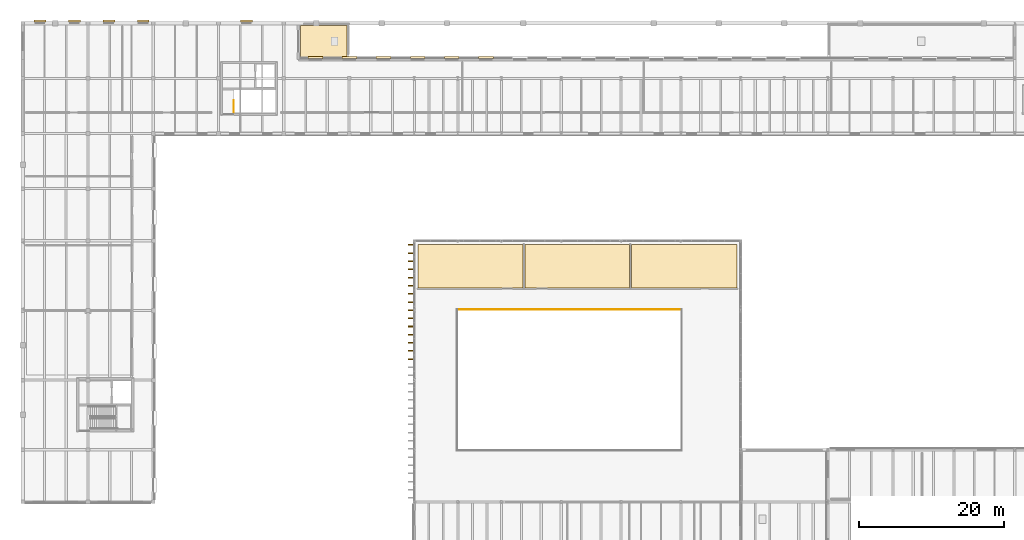
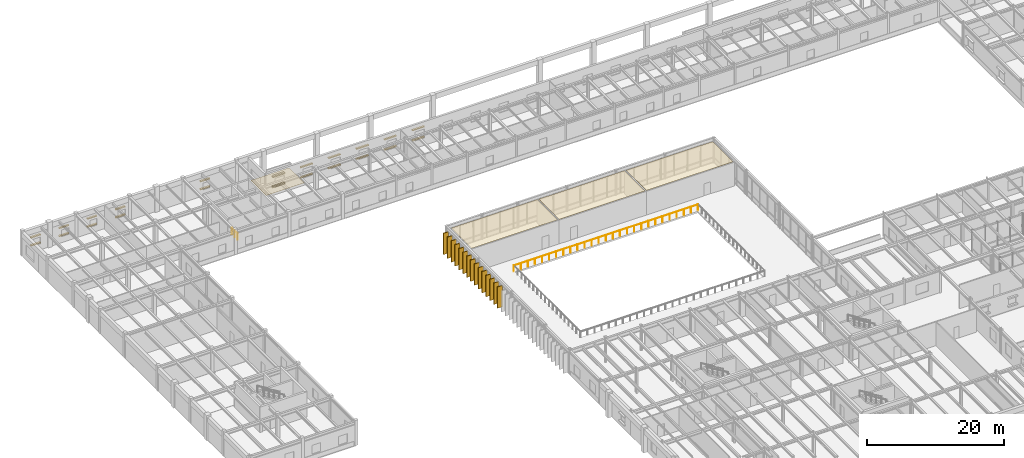
# One storey, part 61 of 64: 41 coverings, 2 railings.
"""IFC4 building model written with IfcOpenShell, lengths in metres."""

from ifc_helpers import new_model, si_unit, direction, frame, origin, origin_2d, place, context, subcontext, project, spatial, polyline, rectangle, circle, outline, extrude, material, layer, layer_set, type_object, element, save


model = new_model("IFC4")

# Units and contexts
model_context = context("Model", 3, precision=1e-05, world=origin(), true_north=direction((0.0, 1.0)))
body_context = subcontext(model_context, "Body", "Model", "MODEL_VIEW")
ifc_project = project(units=[si_unit("LENGTHUNIT", "METRE"), si_unit("AREAUNIT", "SQUARE_METRE"), si_unit("VOLUMEUNIT", "CUBIC_METRE"), si_unit("PLANEANGLEUNIT", "RADIAN"), si_unit("MASSUNIT", "GRAM", prefix="KILO")], contexts=[model_context])

# Site, building, storey
site_placement = place(None, origin())
site = spatial("IfcSite", under=ifc_project, at=site_placement, CompositionType="ELEMENT")
building_placement = place(site_placement, origin())
building = spatial("IfcBuilding", under=site, at=building_placement, Name="Montealbar Specialist Clinic", CompositionType="ELEMENT")
storey_placement = place(building_placement, frame((0.0, 0.0, 5.10009765625)))
storey = spatial("IfcBuildingStorey", under=building, at=storey_placement, Name="L01", CompositionType="ELEMENT", Elevation=5.10009765625)

# Coverings
ifc_material_1 = material(Name="Hygienic acoustic ceiling tile", Category="gypsum")
ifc_layer_1 = layer(ifc_material_1, 0.02490234375, Name="Hygienic acoustic ceiling tile", Category="gypsum")
ifc_layer_set_1 = layer_set([ifc_layer_1], Name="Hygienic acoustic ceiling tile")
covering_type_1 = type_object("IfcCoveringType", Name="COV-CEIL-ACOUSTIC", PredefinedType="CEILING", material=ifc_layer_set_1)
covering_1_placement = place(storey_placement, frame((0.0, 0.0, 4.184814453125)))
element("IfcCovering", 1, at=covering_1_placement, inside=storey, type_object=covering_type_1, Name="Hygienic Acoustic Ceiling Pulmonary Exercise Diagnostics Clinic", PredefinedType="CEILING", context=body_context, shape_type="SweptSolid", body=[
    extrude(outline(polyline([(54.530029296875, 80.469970703125), (68.969970703125, 80.469970703125), (68.969970703125, 74.530029296875), (54.530029296875, 74.530029296875), (54.530029296875, 80.469970703125)])), origin(), (0.0, 0.0, 1.0), 0.025146484375),
])
covering_2_placement = place(storey_placement, frame((0.0, 0.0, 4.184814453125)))
element("IfcCovering", 2, at=covering_2_placement, inside=storey, type_object=covering_type_1, Name="Hygienic Acoustic Ceiling Cardiac Rehabilitation Monitoring Studio", PredefinedType="CEILING", context=body_context, shape_type="SweptSolid", body=[
    extrude(outline(polyline([(69.22998046875, 80.469970703125), (83.669921875, 80.469970703125), (83.669921875, 74.530029296875), (69.22998046875, 74.530029296875), (69.22998046875, 80.469970703125)])), origin(), (0.0, 0.0, 1.0), 0.025146484375),
])
covering_3_placement = place(storey_placement, frame((0.0, 0.0, 4.184814453125)))
element("IfcCovering", 3, at=covering_3_placement, inside=storey, type_object=covering_type_1, Name="Hygienic Acoustic Ceiling Autonomic Nervous System Testing Room", PredefinedType="CEILING", context=body_context, shape_type="SweptSolid", body=[
    extrude(outline(polyline([(83.929931640625, 80.469970703125), (98.469970703125, 80.469970703125), (98.469970703125, 74.530029296875), (83.929931640625, 74.530029296875), (83.929931640625, 80.469970703125)])), origin(), (0.0, 0.0, 1.0), 0.025146484375),
])
ifc_material_2 = material(Name="Thermally modified timber cladding", Category="wood")
ifc_layer_2 = layer(ifc_material_2, 0.139892578125, Name="Thermally modified timber cladding", Category="wood")
ifc_layer_set_2 = layer_set([ifc_layer_2], Name="Thermally modified timber cladding")
covering_type_2 = type_object("IfcCoveringType", Name="COV-FIN-TIMBER-850", PredefinedType="CLADDING", material=ifc_layer_set_2)
for number, where, z_axis, x_axis, name in (
    (4, (53.60009765625, 64.68798828125, 0.0), (0.0, 0.0, 1.0), (-1.0, 0.0, 0.0), "Vertical Timber Solar Fin CF-L01-0050"),
    (5, (53.60009765625, 65.81201171875, 0.0), (0.0, 0.0, 1.0), (-1.0, 0.0, 0.0), "Vertical Timber Solar Fin CF-L01-0051"),
    (6, (53.60009765625, 66.93798828125, 0.0), (0.0, 0.0, 1.0), (-1.0, 0.0, 0.0), "Vertical Timber Solar Fin CF-L01-0052"),
    (7, (53.60009765625, 68.06201171875, 0.0), (0.0, 0.0, 1.0), (-1.0, 0.0, 0.0), "Vertical Timber Solar Fin CF-L01-0053"),
    (8, (53.60009765625, 69.18798828125, 0.0), (0.0, 0.0, 1.0), (-1.0, 0.0, 0.0), "Vertical Timber Solar Fin CF-L01-0054"),
    (9, (53.60009765625, 70.31201171875, 0.0), (0.0, 0.0, 1.0), (-1.0, 0.0, 0.0), "Vertical Timber Solar Fin CF-L01-0055"),
    (10, (53.60009765625, 71.43798828125, 0.0), (0.0, 0.0, 1.0), (-1.0, 0.0, 0.0), "Vertical Timber Solar Fin CF-L01-0056"),
    (11, (53.60009765625, 72.56201171875, 0.0), (0.0, 0.0, 1.0), (-1.0, 0.0, 0.0), "Vertical Timber Solar Fin CF-L01-0057"),
    (12, (53.60009765625, 73.68798828125, 0.0), (0.0, 0.0, 1.0), (-1.0, 0.0, 0.0), "Vertical Timber Solar Fin CF-L01-0058"),
    (13, (53.60009765625, 74.81201171875, 0.0), (0.0, 0.0, 1.0), (-1.0, 0.0, 0.0), "Vertical Timber Solar Fin CF-L01-0059"),
    (14, (53.60009765625, 75.93798828125, 0.0), (0.0, 0.0, 1.0), (-1.0, 0.0, 0.0), "Vertical Timber Solar Fin CF-L01-0060"),
    (15, (53.60009765625, 77.06201171875, 0.0), (0.0, 0.0, 1.0), (-1.0, 0.0, 0.0), "Vertical Timber Solar Fin CF-L01-0061"),
    (16, (53.60009765625, 78.18798828125, 0.0), (0.0, 0.0, 1.0), (-1.0, 0.0, 0.0), "Vertical Timber Solar Fin CF-L01-0062"),
    (17, (53.60009765625, 79.31201171875, 0.0), (0.0, 0.0, 1.0), (-1.0, 0.0, 0.0), "Vertical Timber Solar Fin CF-L01-0063"),
    (18, (53.60009765625, 80.43798828125, 0.0), (0.0, 0.0, 1.0), (-1.0, 0.0, 0.0), "Vertical Timber Solar Fin CF-L01-0064"),
):
    element("IfcCovering", number, at=place(storey_placement, frame(where, z_axis=z_axis, x_axis=x_axis)), inside=storey, type_object=covering_type_2, Name=name, PredefinedType="CLADDING", context=body_context, shape_type="SweptSolid", body=[
        extrude(rectangle(XDim=0.85009765625, YDim=0.139892578125, at=origin_2d()), origin(), (0.0, 0.0, 1.0), 3.800048828125),
    ])
ifc_material_3 = material(Name="Guadarrama granite ashlar", Category="masonry")
ifc_layer_3 = layer(ifc_material_3, 0.280029296875, Name="Guadarrama granite ashlar", Category="masonry")
ifc_layer_set_3 = layer_set([ifc_layer_3], Name="Guadarrama granite ashlar")
covering_type_3 = type_object("IfcCoveringType", Name="COV-HOOD-OCULUS", PredefinedType="CLADDING", material=ifc_layer_set_3)
for number, where, z_axis, x_axis, name in (
    (19, (2.375, 111.31005859375, 2.27490234375), (0.0, 0.0, 1.0), (1.0, 0.0, 0.0), "Postmodern Oculus Stone Frame L01-001-TOP"),
    (20, (2.375, 111.31005859375, 0.85498046875), (0.0, 0.0, 1.0), (1.0, 0.0, 0.0), "Postmodern Oculus Stone Frame L01-001-BOT"),
    (21, (7.125, 111.31005859375, 2.27490234375), (0.0, 0.0, 1.0), (1.0, 0.0, 0.0), "Postmodern Oculus Stone Frame L01-002-TOP"),
    (22, (7.125, 111.31005859375, 0.85498046875), (0.0, 0.0, 1.0), (1.0, 0.0, 0.0), "Postmodern Oculus Stone Frame L01-002-BOT"),
    (23, (11.875, 111.31005859375, 2.27490234375), (0.0, 0.0, 1.0), (1.0, 0.0, 0.0), "Postmodern Oculus Stone Frame L01-003-TOP"),
    (24, (11.875, 111.31005859375, 0.85498046875), (0.0, 0.0, 1.0), (1.0, 0.0, 0.0), "Postmodern Oculus Stone Frame L01-003-BOT"),
    (25, (16.625, 111.31005859375, 2.27490234375), (0.0, 0.0, 1.0), (1.0, 0.0, 0.0), "Postmodern Oculus Stone Frame L01-004-TOP"),
    (26, (16.625, 111.31005859375, 0.85498046875), (0.0, 0.0, 1.0), (1.0, 0.0, 0.0), "Postmodern Oculus Stone Frame L01-004-BOT"),
    (27, (30.875, 111.31005859375, 2.27490234375), (0.0, 0.0, 1.0), (1.0, 0.0, 0.0), "Postmodern Oculus Stone Frame L01-005-TOP"),
    (28, (30.875, 111.31005859375, 0.85498046875), (0.0, 0.0, 1.0), (1.0, 0.0, 0.0), "Postmodern Oculus Stone Frame L01-005-BOT"),
):
    element("IfcCovering", number, at=place(storey_placement, frame(where, z_axis=z_axis, x_axis=x_axis)), inside=storey, type_object=covering_type_3, Name=name, PredefinedType="CLADDING", context=body_context, shape_type="SweptSolid", body=[
        extrude(rectangle(XDim=1.639892578125, YDim=0.280029296875, at=origin_2d()), origin(), (0.0, 0.0, 1.0), 0.199951171875),
    ])
for number, where, z_axis, x_axis, name in (
    (29, (40.35205078125, 106.31005859375, 2.9150390625), (0.0, 0.0, 1.0), (1.0, 0.0, 0.0), "Postmodern Oculus Stone Frame L01-006-TOP"),
    (30, (40.35205078125, 106.31005859375, 1.0947265625), (0.0, 0.0, 1.0), (1.0, 0.0, 0.0), "Postmodern Oculus Stone Frame L01-006-BOT"),
    (31, (45.056884765625, 106.31005859375, 2.9150390625), (0.0, 0.0, 1.0), (1.0, 0.0, 0.0), "Postmodern Oculus Stone Frame L01-007-TOP"),
    (32, (45.056884765625, 106.31005859375, 1.0947265625), (0.0, 0.0, 1.0), (1.0, 0.0, 0.0), "Postmodern Oculus Stone Frame L01-007-BOT"),
    (33, (49.761962890625, 106.31005859375, 2.9150390625), (0.0, 0.0, 1.0), (1.0, 0.0, 0.0), "Postmodern Oculus Stone Frame L01-008-TOP"),
    (34, (49.761962890625, 106.31005859375, 1.0947265625), (0.0, 0.0, 1.0), (1.0, 0.0, 0.0), "Postmodern Oculus Stone Frame L01-008-BOT"),
    (35, (54.467041015625, 106.31005859375, 2.9150390625), (0.0, 0.0, 1.0), (1.0, 0.0, 0.0), "Postmodern Oculus Stone Frame L01-009-TOP"),
    (36, (54.467041015625, 106.31005859375, 1.0947265625), (0.0, 0.0, 1.0), (1.0, 0.0, 0.0), "Postmodern Oculus Stone Frame L01-009-BOT"),
    (37, (59.1708984375, 106.31005859375, 2.9150390625), (0.0, 0.0, 1.0), (1.0, 0.0, 0.0), "Postmodern Oculus Stone Frame L01-010-TOP"),
    (38, (59.1708984375, 106.31005859375, 1.0947265625), (0.0, 0.0, 1.0), (1.0, 0.0, 0.0), "Postmodern Oculus Stone Frame L01-010-BOT"),
    (39, (63.8759765625, 106.31005859375, 2.9150390625), (0.0, 0.0, 1.0), (1.0, 0.0, 0.0), "Postmodern Oculus Stone Frame L01-011-TOP"),
    (40, (63.8759765625, 106.31005859375, 1.0947265625), (0.0, 0.0, 1.0), (1.0, 0.0, 0.0), "Postmodern Oculus Stone Frame L01-011-BOT"),
):
    element("IfcCovering", number, at=place(storey_placement, frame(where, z_axis=z_axis, x_axis=x_axis)), inside=storey, type_object=covering_type_3, Name=name, PredefinedType="CLADDING", context=body_context, shape_type="SweptSolid", body=[
        extrude(rectangle(XDim=2.0400390625, YDim=0.280029296875, at=origin_2d()), origin(), (0.0, 0.0, 1.0), 0.199951171875),
    ])
ifc_material_4 = material(Name="Weatherproof roofing membrane", Category="concrete")
ifc_layer_4 = layer(ifc_material_4, 0.030029296875, Name="Weatherproof roofing membrane", Category="concrete")
ifc_layer_set_4 = layer_set([ifc_layer_4], Name="Weatherproof roofing membrane")
covering_type_4 = type_object("IfcCoveringType", Name="COV-ROOF-MEMB", PredefinedType="ROOFING", material=ifc_layer_set_4)
covering_4_placement = place(storey_placement, origin())
element("IfcCovering", 41, at=covering_4_placement, inside=storey, type_object=covering_type_4, Name="Weatherproof Roof Membrane ROOF-L01-06", PredefinedType="ROOFING", context=body_context, shape_type="SweptSolid", body=[
    extrude(outline(polyline([(44.719970703125, 106.280029296875), (38.280029296875, 106.280029296875), (38.280029296875, 110.719970703125), (44.719970703125, 110.719970703125), (44.719970703125, 106.280029296875)])), origin(), (0.0, 0.0, 1.0), 0.02978515625),
])

# Railings
ifc_material_5 = material(Name="Steel S355", Category="steel")
ifc_layer_5 = layer(ifc_material_5, 0.06005859375, Name="Steel S355", Category="steel")
ifc_layer_set_5 = layer_set([ifc_layer_5], Name="Steel S355")
railing_type_1 = type_object("IfcRailingType", Name="RAIL-INT-BAL-1100", PredefinedType="BALUSTRADE", material=ifc_layer_set_5)
railing_1_placement = place(storey_placement, frame((59.8798828125, 71.52001953125, 0.0)))
element("IfcRailing", 42, at=railing_1_placement, inside=storey, type_object=railing_type_1, Name="Winter Garden Gallery Balustrade N", PredefinedType="BALUSTRADE", context=body_context, shape_type="SweptSolid", body=[
    extrude(circle(Radius=0.02392578125, at=origin_2d()), frame((0.0, 0.0, 1.09619140625), z_axis=(1.0, 0.0, 0.0), x_axis=(0.0, 1.0, 0.0)), (0.0, 0.0, 1.0), 30.990234375),
    extrude(circle(Radius=0.02099609375, at=origin_2d()), frame((0.0, 0.0, -0.02490234375)), (0.0, 0.0, 1.0), 1.096923828125),
    extrude(circle(Radius=0.02099609375, at=origin_2d()), frame((1.19189453125, 0.0, -0.02490234375)), (0.0, 0.0, 1.0), 1.096923828125),
    extrude(circle(Radius=0.02099609375, at=origin_2d()), frame((2.3837890625, 0.0, -0.02490234375)), (0.0, 0.0, 1.0), 1.096923828125),
    extrude(circle(Radius=0.02099609375, at=origin_2d()), frame((3.57568359375, 0.0, -0.02490234375)), (0.0, 0.0, 1.0), 1.096923828125),
    extrude(circle(Radius=0.02099609375, at=origin_2d()), frame((4.767822265625, 0.0, -0.02490234375)), (0.0, 0.0, 1.0), 1.096923828125),
    extrude(circle(Radius=0.02099609375, at=origin_2d()), frame((5.959716796875, 0.0, -0.02490234375)), (0.0, 0.0, 1.0), 1.096923828125),
    extrude(circle(Radius=0.02099609375, at=origin_2d()), frame((7.151611328125, 0.0, -0.02490234375)), (0.0, 0.0, 1.0), 1.096923828125),
    extrude(circle(Radius=0.02099609375, at=origin_2d()), frame((8.343505859375, 0.0, -0.02490234375)), (0.0, 0.0, 1.0), 1.096923828125),
    extrude(circle(Radius=0.02099609375, at=origin_2d()), frame((9.535400390625, 0.0, -0.02490234375)), (0.0, 0.0, 1.0), 1.096923828125),
    extrude(circle(Radius=0.02099609375, at=origin_2d()), frame((10.727294921875, 0.0, -0.02490234375)), (0.0, 0.0, 1.0), 1.096923828125),
    extrude(circle(Radius=0.02099609375, at=origin_2d()), frame((11.91943359375, 0.0, -0.02490234375)), (0.0, 0.0, 1.0), 1.096923828125),
    extrude(circle(Radius=0.02099609375, at=origin_2d()), frame((13.111328125, 0.0, -0.02490234375)), (0.0, 0.0, 1.0), 1.096923828125),
    extrude(circle(Radius=0.02099609375, at=origin_2d()), frame((14.30322265625, 0.0, -0.02490234375)), (0.0, 0.0, 1.0), 1.096923828125),
    extrude(circle(Radius=0.02099609375, at=origin_2d()), frame((15.4951171875, 0.0, -0.02490234375)), (0.0, 0.0, 1.0), 1.096923828125),
    extrude(circle(Radius=0.02099609375, at=origin_2d()), frame((16.68701171875, 0.0, -0.02490234375)), (0.0, 0.0, 1.0), 1.096923828125),
    extrude(circle(Radius=0.02099609375, at=origin_2d()), frame((17.87890625, 0.0, -0.02490234375)), (0.0, 0.0, 1.0), 1.096923828125),
    extrude(circle(Radius=0.02099609375, at=origin_2d()), frame((19.07080078125, 0.0, -0.02490234375)), (0.0, 0.0, 1.0), 1.096923828125),
    extrude(circle(Radius=0.02099609375, at=origin_2d()), frame((20.262939453125, 0.0, -0.02490234375)), (0.0, 0.0, 1.0), 1.096923828125),
    extrude(circle(Radius=0.02099609375, at=origin_2d()), frame((21.454833984375, 0.0, -0.02490234375)), (0.0, 0.0, 1.0), 1.096923828125),
    extrude(circle(Radius=0.02099609375, at=origin_2d()), frame((22.646728515625, 0.0, -0.02490234375)), (0.0, 0.0, 1.0), 1.096923828125),
    extrude(circle(Radius=0.02099609375, at=origin_2d()), frame((23.838623046875, 0.0, -0.02490234375)), (0.0, 0.0, 1.0), 1.096923828125),
    extrude(circle(Radius=0.02099609375, at=origin_2d()), frame((25.030517578125, 0.0, -0.02490234375)), (0.0, 0.0, 1.0), 1.096923828125),
    extrude(circle(Radius=0.02099609375, at=origin_2d()), frame((26.222412109375, 0.0, -0.02490234375)), (0.0, 0.0, 1.0), 1.096923828125),
    extrude(circle(Radius=0.02099609375, at=origin_2d()), frame((27.41455078125, 0.0, -0.02490234375)), (0.0, 0.0, 1.0), 1.096923828125),
    extrude(circle(Radius=0.02099609375, at=origin_2d()), frame((28.6064453125, 0.0, -0.02490234375)), (0.0, 0.0, 1.0), 1.096923828125),
    extrude(circle(Radius=0.02099609375, at=origin_2d()), frame((29.79833984375, 0.0, -0.02490234375)), (0.0, 0.0, 1.0), 1.096923828125),
    extrude(circle(Radius=0.02099609375, at=origin_2d()), frame((30.990234375, 0.0, -0.02490234375)), (0.0, 0.0, 1.0), 1.096923828125),
])
ifc_layer_6 = layer(ifc_material_5, 0.050048828125, Name="Steel S355", Category="steel")
ifc_layer_set_6 = layer_set([ifc_layer_6], Name="Steel S355")
railing_type_2 = type_object("IfcRailingType", Name="RAIL-STAIR-BAL-1100", PredefinedType="BALUSTRADE", material=ifc_layer_set_6)
railing_2_placement = place(storey_placement, frame((29.10009765625, 98.699951171875, 0.0)))
element("IfcRailing", 43, at=railing_2_placement, inside=storey, type_object=railing_type_2, Name="L01 ST-02 top well guard 1", PredefinedType="BALUSTRADE", context=body_context, shape_type="SweptSolid", body=[
    extrude(circle(Radius=0.02392578125, at=origin_2d()), frame((0.0, 0.0, 1.076171875), z_axis=(0.0, 1.0, 0.0), x_axis=(-1.0, 0.0, 0.0)), (0.0, 0.0, 1.0), 1.650146484375),
    extrude(circle(Radius=0.02099609375, at=origin_2d()), frame((0.0, 0.0, -0.02490234375)), (0.0, 0.0, 1.0), 1.076904296875),
    extrude(circle(Radius=0.02099609375, at=origin_2d()), frame((0.0, 0.8251953125, -0.02490234375)), (0.0, 0.0, 1.0), 1.076904296875),
    extrude(circle(Radius=0.02099609375, at=origin_2d()), frame((0.0, 1.650146484375, -0.02490234375)), (0.0, 0.0, 1.0), 1.076904296875),
])

save(model, "model.ifc")
